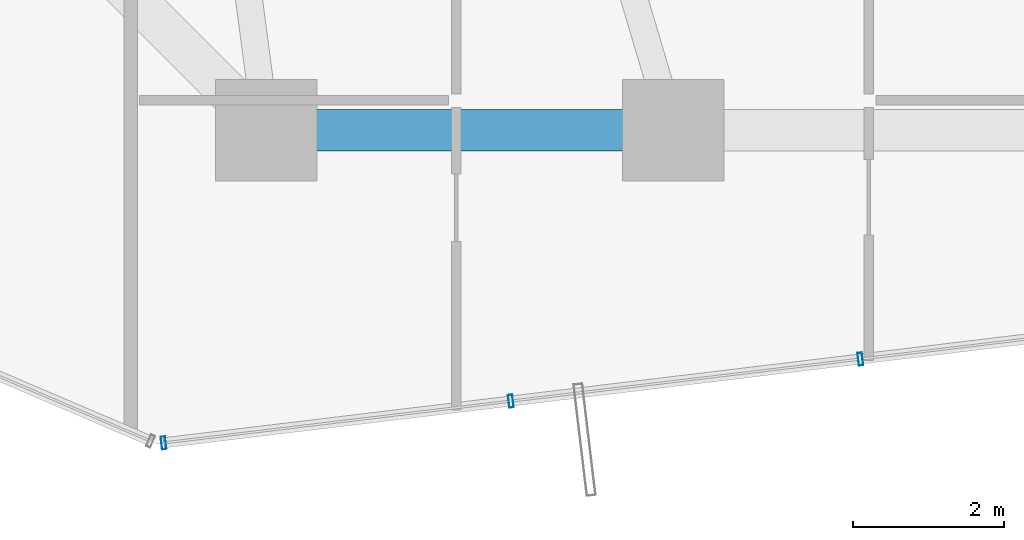
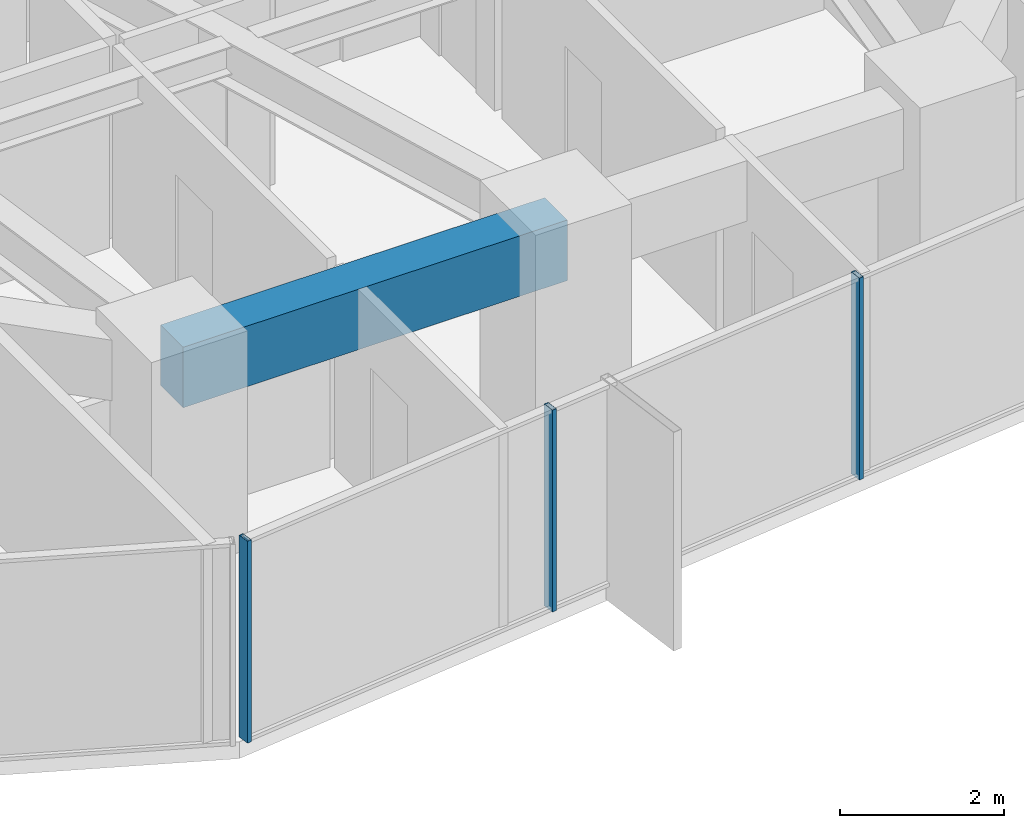
# One storey, part 6 of 37: 3 members, 1 beam, 1 element without a shape of its own.
"""IFC4 building model written with IfcOpenShell, lengths in metres."""

from ifc_helpers import new_model, si_unit, direction, frame, origin, origin_2d, place, context, subcontext, project, spatial, rectangle, hollow_rectangle, extrude, source, transform, mapped, material, layer, layer_set, material_profile, profile_set, type_object, element, aggregate, save


model = new_model("IFC4")

# Units and contexts
model_context = context("Model", 3, precision=1e-05, world=origin(), true_north=direction((0.0, 1.0)))
body_context = subcontext(model_context, "Body", "Model", "MODEL_VIEW")
ifc_project = project(units=[si_unit("LENGTHUNIT", "METRE"), si_unit("AREAUNIT", "SQUARE_METRE"), si_unit("VOLUMEUNIT", "CUBIC_METRE"), si_unit("PLANEANGLEUNIT", "RADIAN"), si_unit("MASSUNIT", "GRAM", prefix="KILO")], contexts=[model_context])

# Site, building, storey
site_placement = place(None, origin())
site = spatial("IfcSite", under=ifc_project, at=site_placement, CompositionType="ELEMENT")
building_placement = place(site_placement, origin())
building = spatial("IfcBuilding", under=site, at=building_placement, Name="Veraguas Prism Commons", CompositionType="ELEMENT")
storey_placement = place(building_placement, frame((0.0, 0.0, 46.800048828125)))
storey = spatial("IfcBuildingStorey", under=building, at=storey_placement, Name="L12", CompositionType="ELEMENT", Elevation=46.800048828125)

# Beam
ifc_material_1 = material(Name="Concrete C50/60", Category="concrete")
ifc_material_profile_1 = material_profile(ifc_material_1, rectangle(XDim=0.550048828125, YDim=0.89990234375, at=origin_2d()), Name="RC550X900")
ifc_profile_set_1 = profile_set([ifc_material_profile_1], Name="Concrete C50/60")
beam_type = type_object("IfcBeamType", Name="Perimeter Spandrel Lower RC 550x900", PredefinedType="SPANDREL", material=ifc_profile_set_1)
beam_placement = place(storey_placement, frame((18.60009765625, 6.39990234375, 2.550048828125), z_axis=(1.0, 0.0, 0.0), x_axis=(0.0, 1.0, 0.0)))
element("IfcBeam", 1, at=beam_placement, inside=storey, type_object=beam_type, Name="Perimeter Spandrel Beam L12-SP10", PredefinedType="SPANDREL", context=body_context, shape_type="SweptSolid", body=[
    extrude(rectangle(XDim=0.550048828125, YDim=0.89990234375, at=origin_2d()), origin(), (0.0, 0.0, 1.0), 5.39990234375),
])

# Curtain wall, members
ifc_material_2 = material(Name="Anodised aluminium EN AW-6063 T6", Category="aluminium")
ifc_layer = layer(ifc_material_2, 0.169921875, Name="Unitised Flush Curtain Wall Zone 1", Category="aluminium")
ifc_layer_set = layer_set([ifc_layer], Name="Anodised aluminium EN AW-6063 T6")
curtain_wall_type = type_object("IfcCurtainWallType", Name="Unitised Flush Curtain Wall Zone 1", PredefinedType="NOTDEFINED", material=ifc_layer_set)
curtain_wall_placement = place(storey_placement, origin())
curtain_wall = element("IfcCurtainWall", 2, at=curtain_wall_placement, inside=storey, type_object=curtain_wall_type, Name="Tower Facade Curtain Wall L12-F5", PredefinedType="NOTDEFINED")
ifc_material_profile_2 = material_profile(ifc_material_2, hollow_rectangle(XDim=0.06005859375, YDim=0.169921875, WallThickness=0.00390625, at=origin_2d()), Name="AL60X170X4")
ifc_profile_set_2 = profile_set([ifc_material_profile_2], Name="Anodised aluminium EN AW-6063 T6")
member_type = type_object("IfcMemberType", Name="Curtain Wall Mullion Lower AL 60x170x4", PredefinedType="MULLION", material=ifc_profile_set_2)
shared_shape = source(origin(), body_context, "Body", "SweptSolid", [
    extrude(hollow_rectangle(XDim=0.06005859375, YDim=0.169921875, WallThickness=0.00390625, at=origin_2d()), origin(), (0.0, 0.0, 1.0), 3.0),
])
member_1_placement = place(storey_placement, frame((17.2373046875, 2.251953125, 0.0), z_axis=(0.0, 0.0, 1.0), x_axis=(0.992841388261, 0.119440268573, 0.0)))
member_1 = element("IfcMember", 3, at=member_1_placement, type_object=member_type, Name="CW-Z1 Mullion 1", PredefinedType="MULLION", context=body_context, shape_type="MappedRepresentation", body=[
    mapped(shared_shape, transform((0.0, 0.0, 0.0), scale=1.0)),
])
member_2_placement = place(storey_placement, frame((21.84521484375, 2.806396484375, 0.0), z_axis=(0.0, 0.0, 1.0), x_axis=(0.992841388261, 0.119440268573, 0.0)))
member_2 = element("IfcMember", 4, at=member_2_placement, type_object=member_type, Name="CW-Z1 Mullion 2", PredefinedType="MULLION", context=body_context, shape_type="MappedRepresentation", body=[
    mapped(shared_shape, transform((0.0, 0.0, 0.0), scale=1.0)),
])
member_3_placement = place(storey_placement, frame((26.482666015625, 3.3642578125, 0.0), z_axis=(0.0, 0.0, 1.0), x_axis=(0.992841388261, 0.119440268573, 0.0)))
member_3 = element("IfcMember", 5, at=member_3_placement, type_object=member_type, Name="CW-Z1 Mullion 3", PredefinedType="MULLION", context=body_context, shape_type="MappedRepresentation", body=[
    mapped(shared_shape, transform((0.0, 0.0, 0.0), scale=1.0)),
])
aggregate(curtain_wall, [member_1, member_2, member_3])

save(model, "model.ifc")
